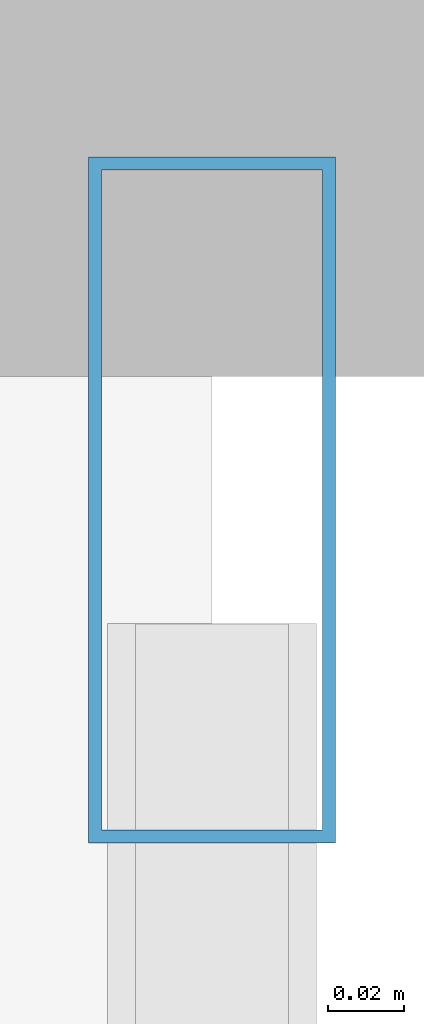
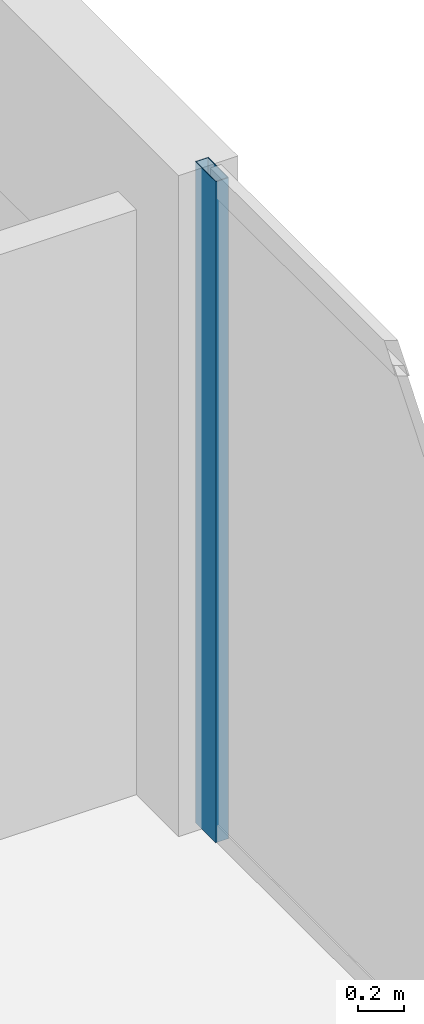
# One storey, part 21 of 33: 1 member, 1 element without a shape of its own.
"""IFC4 building model written with IfcOpenShell, lengths in metres."""

from ifc_helpers import new_model, si_unit, direction, frame, origin, origin_2d, place, context, subcontext, project, spatial, hollow_rectangle, extrude, material, layer, layer_set, material_profile, profile_set, type_object, element, aggregate, save


model = new_model("IFC4")

# Units and contexts
model_context = context("Model", 3, precision=1e-05, world=origin(), true_north=direction((0.0, 1.0)))
body_context = subcontext(model_context, "Body", "Model", "MODEL_VIEW")
ifc_project = project(units=[si_unit("LENGTHUNIT", "METRE"), si_unit("AREAUNIT", "SQUARE_METRE"), si_unit("VOLUMEUNIT", "CUBIC_METRE"), si_unit("PLANEANGLEUNIT", "RADIAN"), si_unit("MASSUNIT", "GRAM", prefix="KILO")], contexts=[model_context])

# Site, building, storey
site_placement = place(None, origin())
site = spatial("IfcSite", under=ifc_project, at=site_placement, CompositionType="ELEMENT")
building_placement = place(site_placement, origin())
building = spatial("IfcBuilding", under=site, at=building_placement, Name="Zuhayl Quay Hotel", CompositionType="ELEMENT")
storey_placement = place(building_placement, frame((0.0, 0.0, 199.89990234375)))
storey = spatial("IfcBuildingStorey", under=building, at=storey_placement, Name="L50", CompositionType="ELEMENT", Elevation=199.89990234375)

# Curtain wall, member
ifc_material_1 = material(Name="Anodised Aluminium 6063-T6", Category="aluminium")
ifc_layer = layer(ifc_material_1, 0.175048828125, Name="Anodised Aluminium 6063-T6", Category="aluminium")
ifc_layer_set = layer_set([ifc_layer], Name="Anodised Aluminium 6063-T6")
curtain_wall_type = type_object("IfcCurtainWallType", Name="CW_SYS_Z3", PredefinedType="USERDEFINED", material=ifc_layer_set)
curtain_wall_placement = place(storey_placement, origin())
curtain_wall = element("IfcCurtainWall", 1, at=curtain_wall_placement, inside=storey, type_object=curtain_wall_type, Name="L50 Curtain Wall ENV_L50_E11_CW1", ObjectType="UNITISED CURTAIN WALL", PredefinedType="USERDEFINED")
ifc_material_2 = material(Name="Black-anodised aluminium 6063-T6", Category="aluminium")
ifc_material_profile = material_profile(ifc_material_2, hollow_rectangle(XDim=0.06494140625, YDim=0.179931640625, WallThickness=0.00341796875, at=origin_2d()), Name="ALU180X65")
ifc_profile_set = profile_set([ifc_material_profile], Name="Black-anodised aluminium 6063-T6")
member_type = type_object("IfcMemberType", Name="MB_CW_MUL_180", PredefinedType="MULLION", material=ifc_profile_set)
member_placement = place(storey_placement, frame((22.10009765625, 24.517578125, 0.0), z_axis=(0.0, 0.0, 1.0), x_axis=(1.0, 0.0, 0.0)))
member = element("IfcMember", 2, at=member_placement, type_object=member_type, Name="CW-Z3 mullion 1", PredefinedType="MULLION", context=body_context, shape_type="SweptSolid", body=[
    extrude(hollow_rectangle(XDim=0.06494140625, YDim=0.179931640625, WallThickness=0.00341796875, at=origin_2d()), origin(), (0.0, 0.0, 1.0), 3.530029296875),
])
aggregate(curtain_wall, [member])

save(model, "model.ifc")
